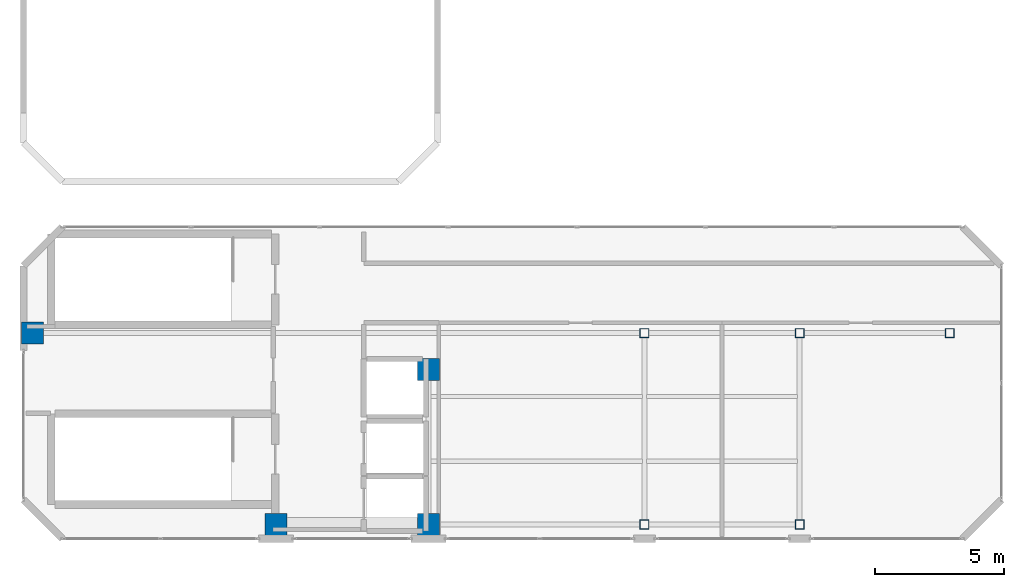
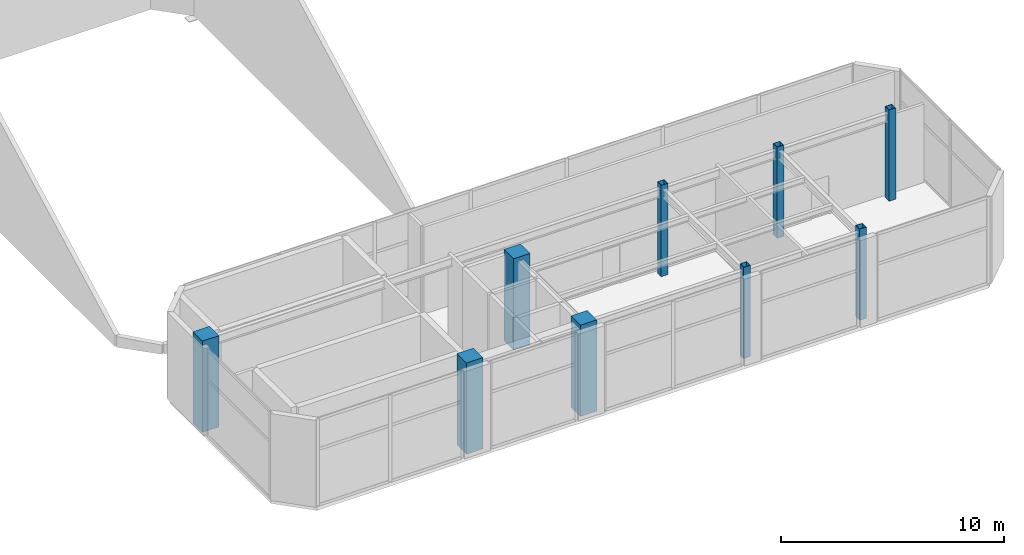
# One storey, part 1 of 12: 9 columns.
"""IFC4 building model written with IfcOpenShell, lengths in metres."""

from ifc_helpers import new_model, si_unit, direction, frame, origin, origin_2d, place, context, subcontext, project, spatial, rectangle, hollow_rectangle, extrude, material, material_profile, profile_set, type_object, element, save


model = new_model("IFC4")

# Units and contexts
model_context = context("Model", 3, precision=1e-05, world=origin(), true_north=direction((0.0, 1.0)))
body_context = subcontext(model_context, "Body", "Model", "MODEL_VIEW")
ifc_project = project(units=[si_unit("LENGTHUNIT", "METRE"), si_unit("AREAUNIT", "SQUARE_METRE"), si_unit("VOLUMEUNIT", "CUBIC_METRE"), si_unit("PLANEANGLEUNIT", "RADIAN"), si_unit("MASSUNIT", "GRAM", prefix="KILO")], contexts=[model_context])

# Site, building, storey
site_placement = place(None, origin())
site = spatial("IfcSite", under=ifc_project, at=site_placement, CompositionType="ELEMENT")
building_placement = place(site_placement, origin())
building = spatial("IfcBuilding", under=site, at=building_placement, Name="Mawjaban Terraces University", CompositionType="ELEMENT")
storey_placement = place(building_placement, frame((0.0, 0.0, 321.699951171875)))
storey = spatial("IfcBuildingStorey", under=building, at=storey_placement, Name="L78", CompositionType="ELEMENT", Elevation=321.699951171875)

# Columns
ifc_material_1 = material(Name="Concrete C50/60", Category="concrete")
ifc_material_profile_1 = material_profile(ifc_material_1, rectangle(XDim=0.85009765625, YDim=0.85009765625, at=origin_2d()), Name="RC850X850")
ifc_profile_set_1 = profile_set([ifc_material_profile_1], Name="Concrete C50/60")
column_type_1 = type_object("IfcColumnType", Name="Col_RC850X850", PredefinedType="COLUMN", material=ifc_profile_set_1)
for number, where, z_axis, x_axis, name in (
    (1, (31.75, 0.550048828125, 0.0), (0.0, 0.0, 1.0), (1.0, 0.0, 0.0), "L78 Column CC2"),
    (2, (37.64990234375, 0.550048828125, 0.0), (0.0, 0.0, 1.0), (1.0, 0.0, 0.0), "L78 Column CC3"),
    (3, (22.35009765625, 7.949951171875, 0.0), (0.0, 0.0, 1.0), (1.0, 0.0, 0.0), "L78 Column CC4"),
    (4, (37.64990234375, 6.550048828125, 0.0), (0.0, 0.0, 1.0), (1.0, 0.0, 0.0), "L78 Column CC5"),
):
    element("IfcColumn", number, at=place(storey_placement, frame(where, z_axis=z_axis, x_axis=x_axis)), inside=storey, type_object=column_type_1, Name=name, PredefinedType="COLUMN", context=body_context, shape_type="SweptSolid", body=[
        extrude(rectangle(XDim=0.85009765625, YDim=0.85009765625, at=origin_2d()), origin(), (0.0, 0.0, 1.0), 5.0),
    ])
ifc_material_2 = material(Name="Steel EN 10210-1 S355J2H", Category="steel")
ifc_material_profile_2 = material_profile(ifc_material_2, hollow_rectangle(XDim=0.35009765625, YDim=0.35009765625, WallThickness=0.01611328125, at=origin_2d()), Name="SHS350X350X16")
ifc_profile_set_2 = profile_set([ifc_material_profile_2], Name="Steel EN 10210-1 S355J2H")
column_type_2 = type_object("IfcColumnType", Name="Col_SHS350X350X16", PredefinedType="COLUMN", material=ifc_profile_set_2)
for number, where, z_axis, x_axis, name in (
    (5, (46.0, 0.550048828125, 0.0), (0.0, 0.0, 1.0), (1.0, 0.0, 0.0), "L78 Column TE-460-005"),
    (6, (46.0, 7.949951171875, 0.0), (0.0, 0.0, 1.0), (1.0, 0.0, 0.0), "L78 Column TE-460-080"),
    (7, (52.0, 0.550048828125, 0.0), (0.0, 0.0, 1.0), (1.0, 0.0, 0.0), "L78 Column TE-520-005"),
    (8, (52.0, 7.949951171875, 0.0), (0.0, 0.0, 1.0), (1.0, 0.0, 0.0), "L78 Column TE-520-080"),
    (9, (57.800048828125, 7.949951171875, 0.0), (0.0, 0.0, 1.0), (1.0, 0.0, 0.0), "L78 Column TE-578-080"),
):
    element("IfcColumn", number, at=place(storey_placement, frame(where, z_axis=z_axis, x_axis=x_axis)), inside=storey, type_object=column_type_2, Name=name, PredefinedType="COLUMN", context=body_context, shape_type="SweptSolid", body=[
        extrude(hollow_rectangle(XDim=0.35009765625, YDim=0.35009765625, WallThickness=0.01611328125, at=origin_2d()), origin(), (0.0, 0.0, 1.0), 5.0),
    ])

save(model, "model.ifc")
